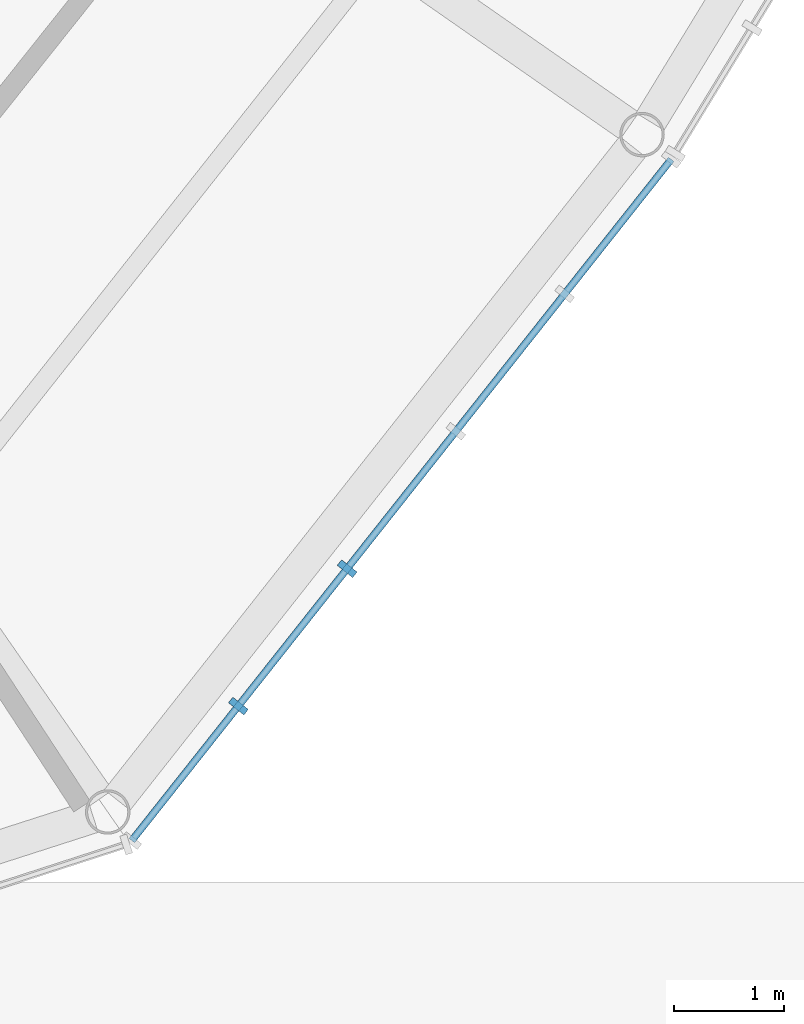
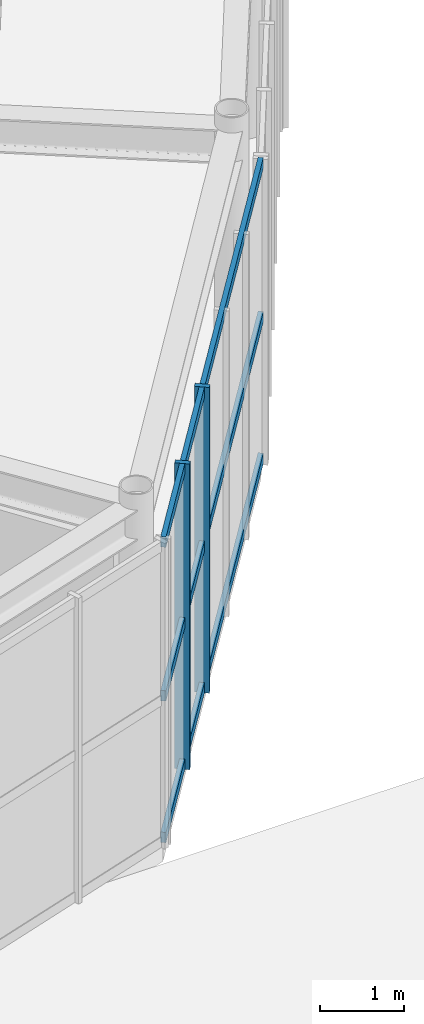
# One storey, part 27 of 97: 5 members, 1 element without a shape of its own.
"""IFC4 building model written with IfcOpenShell, lengths in metres."""

from ifc_helpers import new_model, si_unit, direction, frame, origin, origin_2d, place, context, subcontext, project, spatial, rectangle, extrude, material, material_profile, profile_set, type_object, element, aggregate, save


model = new_model("IFC4")

# Units and contexts
model_context = context("Model", 3, precision=1e-05, world=origin(), true_north=direction((0.0, 1.0)))
body_context = subcontext(model_context, "Body", "Model", "MODEL_VIEW")
ifc_project = project(units=[si_unit("LENGTHUNIT", "METRE"), si_unit("AREAUNIT", "SQUARE_METRE"), si_unit("VOLUMEUNIT", "CUBIC_METRE"), si_unit("PLANEANGLEUNIT", "RADIAN"), si_unit("MASSUNIT", "GRAM", prefix="KILO")], contexts=[model_context])

# Site, building, storey
site_placement = place(None, origin())
site = spatial("IfcSite", under=ifc_project, at=site_placement, CompositionType="ELEMENT")
building_placement = place(site_placement, origin())
building = spatial("IfcBuilding", under=site, at=building_placement, Name="Varnklinge Art Gallery", CompositionType="ELEMENT")
storey_placement = place(building_placement, origin())
storey = spatial("IfcBuildingStorey", under=building, at=storey_placement, Name="L00", CompositionType="ELEMENT", Elevation=0.0)

# Curtain wall, members
ifc_material_1 = material(Name="Anodised Aluminium", Category="aluminium")
curtain_wall_type = type_object("IfcCurtainWallType", Name="CW-R01", PredefinedType="USERDEFINED", material=ifc_material_1)
curtain_wall_placement = place(storey_placement, origin())
curtain_wall = element("IfcCurtainWall", 1, at=curtain_wall_placement, inside=storey, type_object=curtain_wall_type, Name="L00 Curtain Wall CW-V2O-L00-01", ObjectType="UNITISED CURTAIN WALL", PredefinedType="USERDEFINED")
ifc_material_2 = material(Name="Anodised Aluminium", Category="aluminium")
ifc_material_profile_1 = material_profile(ifc_material_2, rectangle(XDim=0.06494140625, YDim=0.179931640625, at=origin_2d()), Name="ALU 65x180")
ifc_profile_set_1 = profile_set([ifc_material_profile_1], Name="Anodised Aluminium")
member_type_1 = type_object("IfcMemberType", Name="MUL-01", PredefinedType="MULLION", material=ifc_profile_set_1)
member_1_placement = place(storey_placement, frame((97.4638671875, 17.607177734375, 0.0), z_axis=(0.0, 0.0, 1.0), x_axis=(0.620737354217, 0.784018582101, 0.0)))
member_1 = element("IfcMember", 2, at=member_1_placement, type_object=member_type_1, Name="CW-V2O-L00-01 Mullion 2", PredefinedType="MULLION", context=body_context, shape_type="SweptSolid", body=[
    extrude(rectangle(XDim=0.06494140625, YDim=0.179931640625, at=origin_2d()), origin(), (0.0, 0.0, 1.0), 4.429931640625),
])
member_2_placement = place(storey_placement, frame((98.457275390625, 18.86181640625, 0.0), z_axis=(0.0, 0.0, 1.0), x_axis=(0.620737354217, 0.784018582101, 0.0)))
member_2 = element("IfcMember", 3, at=member_2_placement, type_object=member_type_1, Name="CW-V2O-L00-01 Mullion 3", PredefinedType="MULLION", context=body_context, shape_type="SweptSolid", body=[
    extrude(rectangle(XDim=0.06494140625, YDim=0.179931640625, at=origin_2d()), origin(), (0.0, 0.0, 1.0), 4.429931640625),
])
ifc_material_3 = material(Name="Anodised Aluminium", Category="aluminium")
ifc_material_profile_2 = material_profile(ifc_material_3, rectangle(XDim=0.06494140625, YDim=0.14990234375, at=origin_2d()), Name="ALU 65x150")
ifc_profile_set_2 = profile_set([ifc_material_profile_2], Name="Anodised Aluminium")
member_type_2 = type_object("IfcMemberType", Name="TRN-01", PredefinedType="USERDEFINED", material=ifc_profile_set_2)
member_3_placement = place(storey_placement, frame((96.49072265625, 16.37841796875, 0.074951171875), z_axis=(0.620773865462, 0.783989673376, 0.0), x_axis=(-0.783989673376, 0.620773865462, 0.0)))
member_3 = element("IfcMember", 4, at=member_3_placement, type_object=member_type_2, Name="CW-V2O-L00-01 Transom 1", ObjectType="TRANSOM", PredefinedType="USERDEFINED", context=body_context, shape_type="SweptSolid", body=[
    extrude(rectangle(XDim=0.06494140625, YDim=0.14990234375, at=origin_2d()), origin(), (0.0, 0.0, 1.0), 7.935302734375),
])
member_4_placement = place(storey_placement, frame((96.49072265625, 16.37841796875, 2.12646484375), z_axis=(0.620773865462, 0.783989673376, 0.0), x_axis=(-0.783989673376, 0.620773865462, 0.0)))
member_4 = element("IfcMember", 5, at=member_4_placement, type_object=member_type_2, Name="CW-V2O-L00-01 Transom 2", ObjectType="TRANSOM", PredefinedType="USERDEFINED", context=body_context, shape_type="SweptSolid", body=[
    extrude(rectangle(XDim=0.06494140625, YDim=0.14990234375, at=origin_2d()), origin(), (0.0, 0.0, 1.0), 7.935302734375),
])
member_5_placement = place(storey_placement, frame((96.49072265625, 16.37841796875, 4.35498046875), z_axis=(0.620773865462, 0.783989673376, 0.0), x_axis=(-0.783989673376, 0.620773865462, 0.0)))
member_5 = element("IfcMember", 6, at=member_5_placement, type_object=member_type_2, Name="CW-V2O-L00-01 Transom 3", ObjectType="TRANSOM", PredefinedType="USERDEFINED", context=body_context, shape_type="SweptSolid", body=[
    extrude(rectangle(XDim=0.06494140625, YDim=0.14990234375, at=origin_2d()), origin(), (0.0, 0.0, 1.0), 7.935302734375),
])
aggregate(curtain_wall, [member_1, member_2, member_3, member_4, member_5])

save(model, "model.ifc")
